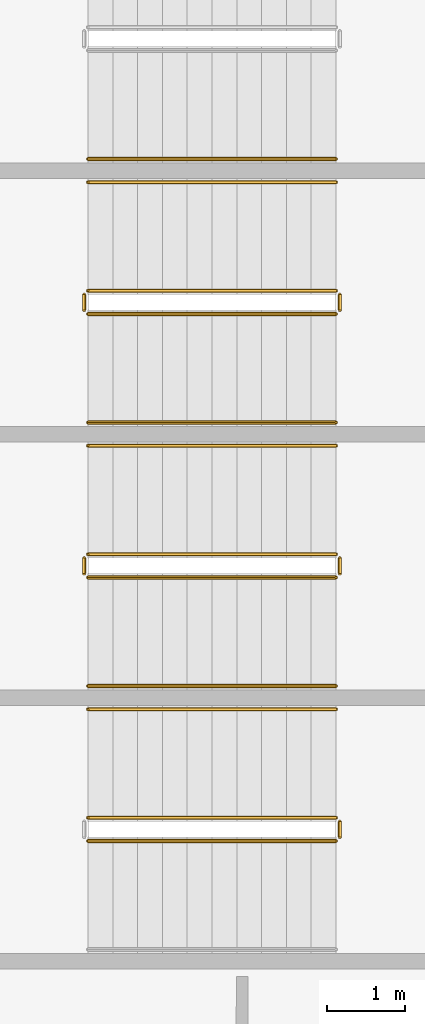
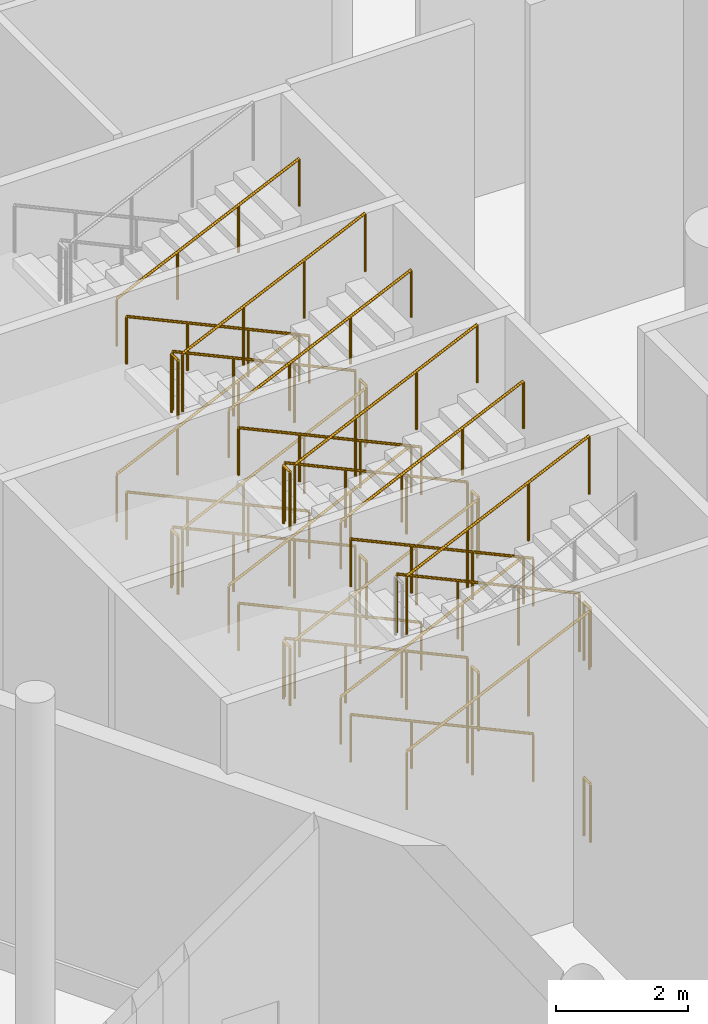
# One storey, part 201 of 255: 33 railings.
"""IFC4 building model written with IfcOpenShell, lengths in metres."""

from ifc_helpers import new_model, si_unit, direction, frame, origin, origin_2d, place, context, subcontext, project, spatial, circle, extrude, material, type_object, element, save


model = new_model("IFC4")

# Units and contexts
model_context = context("Model", 3, precision=1e-05, world=origin(), true_north=direction((0.0, 1.0)))
body_context = subcontext(model_context, "Body", "Model", "MODEL_VIEW")
ifc_project = project(units=[si_unit("LENGTHUNIT", "METRE"), si_unit("AREAUNIT", "SQUARE_METRE"), si_unit("VOLUMEUNIT", "CUBIC_METRE"), si_unit("PLANEANGLEUNIT", "RADIAN"), si_unit("MASSUNIT", "GRAM", prefix="KILO")], contexts=[model_context])

# Site, building, storey
site_placement = place(None, origin())
site = spatial("IfcSite", under=ifc_project, at=site_placement, CompositionType="ELEMENT")
building_placement = place(site_placement, origin())
building = spatial("IfcBuilding", under=site, at=building_placement, Name="Meseta Stadium", CompositionType="ELEMENT")
storey_placement = place(building_placement, origin())
storey = spatial("IfcBuildingStorey", under=building, at=storey_placement, Name="L00", CompositionType="ELEMENT", Elevation=0.0)

# Railings
ifc_material_1 = material(Name="Steel S355", Category="steel")
railing_type_1 = type_object("IfcRailingType", Name="Stair guard 1100", PredefinedType="GUARDRAIL", material=ifc_material_1)
railing_1_placement = place(storey_placement, frame((-90.300048828125, 8.10009765625, 0.147705078125)))
element("IfcRailing", 1, at=railing_1_placement, inside=storey, type_object=railing_type_1, Name="ST66 L00 guard 1", PredefinedType="GUARDRAIL", context=body_context, shape_type="SweptSolid", body=[
    extrude(circle(Radius=0.02392578125, at=origin_2d()), frame((0.0, 0.0, 1.076171875), z_axis=(-0.907916804346, 0.0, 0.419150422148), x_axis=(0.0, -1.0, 0.0)), (0.0, 0.0, 1.0), 3.5244140625),
    extrude(circle(Radius=0.02099609375, at=origin_2d()), origin(), (0.0, 0.0, 1.0), 1.052001953125),
    extrude(circle(Radius=0.02099609375, at=origin_2d()), frame((-1.066650390625, 0.0, 0.492431640625)), (0.0, 0.0, 1.0), 1.052001953125),
    extrude(circle(Radius=0.02099609375, at=origin_2d()), frame((-2.13330078125, 0.0, 0.98486328125)), (0.0, 0.0, 1.0), 1.052001953125),
    extrude(circle(Radius=0.02099609375, at=origin_2d()), frame((-3.199951171875, 0.0, 1.477294921875)), (0.0, 0.0, 1.0), 1.052001953125),
])
railing_2_placement = place(storey_placement, frame((-93.550048828125, 8.050048828125, 1.625)))
element("IfcRailing", 2, at=railing_2_placement, inside=storey, type_object=railing_type_1, Name="ST66 L00 guard 2", PredefinedType="GUARDRAIL", context=body_context, shape_type="SweptSolid", body=[
    extrude(circle(Radius=0.02392578125, at=origin_2d()), frame((0.0, 0.0, 1.076171875), z_axis=(0.0, -1.0, 0.0), x_axis=(1.0, 0.0, 0.0)), (0.0, 0.0, 1.0), 0.199951171875),
    extrude(circle(Radius=0.02099609375, at=origin_2d()), origin(), (0.0, 0.0, 1.0), 1.052001953125),
    extrude(circle(Radius=0.02099609375, at=origin_2d()), frame((0.0, -0.199951171875, 0.0)), (0.0, 0.0, 1.0), 1.052001953125),
])
railing_3_placement = place(storey_placement, frame((-93.5, 7.800048828125, 1.772705078125)))
element("IfcRailing", 3, at=railing_3_placement, inside=storey, type_object=railing_type_1, Name="ST66 L00 guard 3", PredefinedType="GUARDRAIL", context=body_context, shape_type="SweptSolid", body=[
    extrude(circle(Radius=0.02392578125, at=origin_2d()), frame((0.0, 0.0, 1.076171875), z_axis=(0.907916804346, 0.0, 0.419150422148), x_axis=(0.0, 1.0, 0.0)), (0.0, 0.0, 1.0), 3.5244140625),
    extrude(circle(Radius=0.02099609375, at=origin_2d()), origin(), (0.0, 0.0, 1.0), 1.052001953125),
    extrude(circle(Radius=0.02099609375, at=origin_2d()), frame((1.066650390625, 0.0, 0.492431640625)), (0.0, 0.0, 1.0), 1.052001953125),
    extrude(circle(Radius=0.02099609375, at=origin_2d()), frame((2.13330078125, 0.0, 0.98486328125)), (0.0, 0.0, 1.0), 1.052001953125),
    extrude(circle(Radius=0.02099609375, at=origin_2d()), frame((3.199951171875, 0.0, 1.477294921875)), (0.0, 0.0, 1.0), 1.052001953125),
])
railing_4_placement = place(storey_placement, frame((-90.25, 8.050048828125, 3.25)))
element("IfcRailing", 4, at=railing_4_placement, inside=storey, type_object=railing_type_1, Name="ST66 L00 guard 4", PredefinedType="GUARDRAIL", context=body_context, shape_type="SweptSolid", body=[
    extrude(circle(Radius=0.02392578125, at=origin_2d()), frame((0.0, 0.0, 1.076171875), z_axis=(0.0, -1.0, 0.0), x_axis=(1.0, 0.0, 0.0)), (0.0, 0.0, 1.0), 0.199951171875),
    extrude(circle(Radius=0.02099609375, at=origin_2d()), origin(), (0.0, 0.0, 1.0), 1.052001953125),
    extrude(circle(Radius=0.02099609375, at=origin_2d()), frame((0.0, -0.199951171875, 0.0)), (0.0, 0.0, 1.0), 1.052001953125),
])
railing_5_placement = place(storey_placement, frame((-90.300048828125, 8.10009765625, 3.397705078125)))
element("IfcRailing", 5, at=railing_5_placement, inside=storey, type_object=railing_type_1, Name="ST66 L00 guard 5", PredefinedType="GUARDRAIL", context=body_context, shape_type="SweptSolid", body=[
    extrude(circle(Radius=0.02392578125, at=origin_2d()), frame((0.0, 0.0, 1.076171875), z_axis=(-0.907916804346, 0.0, 0.419150422148), x_axis=(0.0, -1.0, 0.0)), (0.0, 0.0, 1.0), 3.5244140625),
    extrude(circle(Radius=0.02099609375, at=origin_2d()), origin(), (0.0, 0.0, 1.0), 1.052001953125),
    extrude(circle(Radius=0.02099609375, at=origin_2d()), frame((-1.066650390625, 0.0, 0.492431640625)), (0.0, 0.0, 1.0), 1.052001953125),
    extrude(circle(Radius=0.02099609375, at=origin_2d()), frame((-2.13330078125, 0.0, 0.98486328125)), (0.0, 0.0, 1.0), 1.052001953125),
    extrude(circle(Radius=0.02099609375, at=origin_2d()), frame((-3.199951171875, 0.0, 1.477294921875)), (0.0, 0.0, 1.0), 1.052001953125),
])
railing_6_placement = place(storey_placement, frame((-93.550048828125, 8.050048828125, 4.875)))
element("IfcRailing", 6, at=railing_6_placement, inside=storey, type_object=railing_type_1, Name="ST66 L00 guard 6", PredefinedType="GUARDRAIL", context=body_context, shape_type="SweptSolid", body=[
    extrude(circle(Radius=0.02392578125, at=origin_2d()), frame((0.0, 0.0, 1.076171875), z_axis=(0.0, -1.0, 0.0), x_axis=(1.0, 0.0, 0.0)), (0.0, 0.0, 1.0), 0.199951171875),
    extrude(circle(Radius=0.02099609375, at=origin_2d()), origin(), (0.0, 0.0, 1.0), 1.052001953125),
    extrude(circle(Radius=0.02099609375, at=origin_2d()), frame((0.0, -0.199951171875, 0.0)), (0.0, 0.0, 1.0), 1.052001953125),
])
railing_7_placement = place(storey_placement, frame((-93.5, 7.800048828125, 5.022705078125)))
element("IfcRailing", 7, at=railing_7_placement, inside=storey, type_object=railing_type_1, Name="ST66 L00 guard 7", PredefinedType="GUARDRAIL", context=body_context, shape_type="SweptSolid", body=[
    extrude(circle(Radius=0.02392578125, at=origin_2d()), frame((0.0, 0.0, 1.076171875), z_axis=(0.907916804346, 0.0, 0.419150422148), x_axis=(0.0, 1.0, 0.0)), (0.0, 0.0, 1.0), 3.5244140625),
    extrude(circle(Radius=0.02099609375, at=origin_2d()), origin(), (0.0, 0.0, 1.0), 1.052001953125),
    extrude(circle(Radius=0.02099609375, at=origin_2d()), frame((1.066650390625, 0.0, 0.492431640625)), (0.0, 0.0, 1.0), 1.052001953125),
    extrude(circle(Radius=0.02099609375, at=origin_2d()), frame((2.13330078125, 0.0, 0.98486328125)), (0.0, 0.0, 1.0), 1.052001953125),
    extrude(circle(Radius=0.02099609375, at=origin_2d()), frame((3.199951171875, 0.0, 1.477294921875)), (0.0, 0.0, 1.0), 1.052001953125),
])
railing_8_placement = place(storey_placement, frame((-90.25, 8.050048828125, 0.0)))
element("IfcRailing", 8, at=railing_8_placement, inside=storey, type_object=railing_type_1, Name="ST66 L00 guard 8", PredefinedType="GUARDRAIL", context=body_context, shape_type="SweptSolid", body=[
    extrude(circle(Radius=0.02392578125, at=origin_2d()), frame((0.0, 0.0, 1.076171875), z_axis=(0.0, -1.0, 0.0), x_axis=(1.0, 0.0, 0.0)), (0.0, 0.0, 1.0), 0.199951171875),
    extrude(circle(Radius=0.02099609375, at=origin_2d()), origin(), (0.0, 0.0, 1.0), 1.052001953125),
    extrude(circle(Radius=0.02099609375, at=origin_2d()), frame((0.0, -0.199951171875, 0.0)), (0.0, 0.0, 1.0), 1.052001953125),
])
railing_9_placement = place(storey_placement, frame((-90.300048828125, 4.699951171875, 0.147705078125)))
element("IfcRailing", 9, at=railing_9_placement, inside=storey, type_object=railing_type_1, Name="ST67 L00 guard 1", PredefinedType="GUARDRAIL", context=body_context, shape_type="SweptSolid", body=[
    extrude(circle(Radius=0.02392578125, at=origin_2d()), frame((0.0, 0.0, 1.076171875), z_axis=(-0.907916804346, 0.0, 0.419150422148), x_axis=(0.0, -1.0, 0.0)), (0.0, 0.0, 1.0), 3.5244140625),
    extrude(circle(Radius=0.02099609375, at=origin_2d()), origin(), (0.0, 0.0, 1.0), 1.052001953125),
    extrude(circle(Radius=0.02099609375, at=origin_2d()), frame((-1.066650390625, 0.0, 0.492431640625)), (0.0, 0.0, 1.0), 1.052001953125),
    extrude(circle(Radius=0.02099609375, at=origin_2d()), frame((-2.13330078125, 0.0, 0.98486328125)), (0.0, 0.0, 1.0), 1.052001953125),
    extrude(circle(Radius=0.02099609375, at=origin_2d()), frame((-3.199951171875, 0.0, 1.477294921875)), (0.0, 0.0, 1.0), 1.052001953125),
])
railing_10_placement = place(storey_placement, frame((-93.550048828125, 4.64990234375, 1.625)))
element("IfcRailing", 10, at=railing_10_placement, inside=storey, type_object=railing_type_1, Name="ST67 L00 guard 2", PredefinedType="GUARDRAIL", context=body_context, shape_type="SweptSolid", body=[
    extrude(circle(Radius=0.02392578125, at=origin_2d()), frame((0.0, 0.0, 1.076171875), z_axis=(0.0, -1.0, 0.0), x_axis=(1.0, 0.0, 0.0)), (0.0, 0.0, 1.0), 0.199951171875),
    extrude(circle(Radius=0.02099609375, at=origin_2d()), origin(), (0.0, 0.0, 1.0), 1.052001953125),
    extrude(circle(Radius=0.02099609375, at=origin_2d()), frame((0.0, -0.199951171875, 0.0)), (0.0, 0.0, 1.0), 1.052001953125),
])
railing_11_placement = place(storey_placement, frame((-93.5, 4.39990234375, 1.772705078125)))
element("IfcRailing", 11, at=railing_11_placement, inside=storey, type_object=railing_type_1, Name="ST67 L00 guard 3", PredefinedType="GUARDRAIL", context=body_context, shape_type="SweptSolid", body=[
    extrude(circle(Radius=0.02392578125, at=origin_2d()), frame((0.0, 0.0, 1.076171875), z_axis=(0.907916804346, 0.0, 0.419150422148), x_axis=(0.0, 1.0, 0.0)), (0.0, 0.0, 1.0), 3.5244140625),
    extrude(circle(Radius=0.02099609375, at=origin_2d()), origin(), (0.0, 0.0, 1.0), 1.052001953125),
    extrude(circle(Radius=0.02099609375, at=origin_2d()), frame((1.066650390625, 0.0, 0.492431640625)), (0.0, 0.0, 1.0), 1.052001953125),
    extrude(circle(Radius=0.02099609375, at=origin_2d()), frame((2.13330078125, 0.0, 0.98486328125)), (0.0, 0.0, 1.0), 1.052001953125),
    extrude(circle(Radius=0.02099609375, at=origin_2d()), frame((3.199951171875, 0.0, 1.477294921875)), (0.0, 0.0, 1.0), 1.052001953125),
])
railing_12_placement = place(storey_placement, frame((-90.25, 4.64990234375, 3.25)))
element("IfcRailing", 12, at=railing_12_placement, inside=storey, type_object=railing_type_1, Name="ST67 L00 guard 4", PredefinedType="GUARDRAIL", context=body_context, shape_type="SweptSolid", body=[
    extrude(circle(Radius=0.02392578125, at=origin_2d()), frame((0.0, 0.0, 1.076171875), z_axis=(0.0, -1.0, 0.0), x_axis=(1.0, 0.0, 0.0)), (0.0, 0.0, 1.0), 0.199951171875),
    extrude(circle(Radius=0.02099609375, at=origin_2d()), origin(), (0.0, 0.0, 1.0), 1.052001953125),
    extrude(circle(Radius=0.02099609375, at=origin_2d()), frame((0.0, -0.199951171875, 0.0)), (0.0, 0.0, 1.0), 1.052001953125),
])
railing_13_placement = place(storey_placement, frame((-90.300048828125, 4.699951171875, 3.397705078125)))
element("IfcRailing", 13, at=railing_13_placement, inside=storey, type_object=railing_type_1, Name="ST67 L00 guard 5", PredefinedType="GUARDRAIL", context=body_context, shape_type="SweptSolid", body=[
    extrude(circle(Radius=0.02392578125, at=origin_2d()), frame((0.0, 0.0, 1.076171875), z_axis=(-0.907916804346, 0.0, 0.419150422148), x_axis=(0.0, -1.0, 0.0)), (0.0, 0.0, 1.0), 3.5244140625),
    extrude(circle(Radius=0.02099609375, at=origin_2d()), origin(), (0.0, 0.0, 1.0), 1.052001953125),
    extrude(circle(Radius=0.02099609375, at=origin_2d()), frame((-1.066650390625, 0.0, 0.492431640625)), (0.0, 0.0, 1.0), 1.052001953125),
    extrude(circle(Radius=0.02099609375, at=origin_2d()), frame((-2.13330078125, 0.0, 0.98486328125)), (0.0, 0.0, 1.0), 1.052001953125),
    extrude(circle(Radius=0.02099609375, at=origin_2d()), frame((-3.199951171875, 0.0, 1.477294921875)), (0.0, 0.0, 1.0), 1.052001953125),
])
railing_14_placement = place(storey_placement, frame((-93.550048828125, 4.64990234375, 4.875)))
element("IfcRailing", 14, at=railing_14_placement, inside=storey, type_object=railing_type_1, Name="ST67 L00 guard 6", PredefinedType="GUARDRAIL", context=body_context, shape_type="SweptSolid", body=[
    extrude(circle(Radius=0.02392578125, at=origin_2d()), frame((0.0, 0.0, 1.076171875), z_axis=(0.0, -1.0, 0.0), x_axis=(1.0, 0.0, 0.0)), (0.0, 0.0, 1.0), 0.199951171875),
    extrude(circle(Radius=0.02099609375, at=origin_2d()), origin(), (0.0, 0.0, 1.0), 1.052001953125),
    extrude(circle(Radius=0.02099609375, at=origin_2d()), frame((0.0, -0.199951171875, 0.0)), (0.0, 0.0, 1.0), 1.052001953125),
])
railing_15_placement = place(storey_placement, frame((-93.5, 4.39990234375, 5.022705078125)))
element("IfcRailing", 15, at=railing_15_placement, inside=storey, type_object=railing_type_1, Name="ST67 L00 guard 7", PredefinedType="GUARDRAIL", context=body_context, shape_type="SweptSolid", body=[
    extrude(circle(Radius=0.02392578125, at=origin_2d()), frame((0.0, 0.0, 1.076171875), z_axis=(0.907916804346, 0.0, 0.419150422148), x_axis=(0.0, 1.0, 0.0)), (0.0, 0.0, 1.0), 3.5244140625),
    extrude(circle(Radius=0.02099609375, at=origin_2d()), origin(), (0.0, 0.0, 1.0), 1.052001953125),
    extrude(circle(Radius=0.02099609375, at=origin_2d()), frame((1.066650390625, 0.0, 0.492431640625)), (0.0, 0.0, 1.0), 1.052001953125),
    extrude(circle(Radius=0.02099609375, at=origin_2d()), frame((2.13330078125, 0.0, 0.98486328125)), (0.0, 0.0, 1.0), 1.052001953125),
    extrude(circle(Radius=0.02099609375, at=origin_2d()), frame((3.199951171875, 0.0, 1.477294921875)), (0.0, 0.0, 1.0), 1.052001953125),
])
railing_16_placement = place(storey_placement, frame((-90.25, 4.64990234375, 0.0)))
element("IfcRailing", 16, at=railing_16_placement, inside=storey, type_object=railing_type_1, Name="ST67 L00 guard 8", PredefinedType="GUARDRAIL", context=body_context, shape_type="SweptSolid", body=[
    extrude(circle(Radius=0.02392578125, at=origin_2d()), frame((0.0, 0.0, 1.076171875), z_axis=(0.0, -1.0, 0.0), x_axis=(1.0, 0.0, 0.0)), (0.0, 0.0, 1.0), 0.199951171875),
    extrude(circle(Radius=0.02099609375, at=origin_2d()), origin(), (0.0, 0.0, 1.0), 1.052001953125),
    extrude(circle(Radius=0.02099609375, at=origin_2d()), frame((0.0, -0.199951171875, 0.0)), (0.0, 0.0, 1.0), 1.052001953125),
])
railing_17_placement = place(storey_placement, frame((-93.5, 1.0, 1.772705078125)))
element("IfcRailing", 17, at=railing_17_placement, inside=storey, type_object=railing_type_1, Name="ST68 L00 guard 3", PredefinedType="GUARDRAIL", context=body_context, shape_type="SweptSolid", body=[
    extrude(circle(Radius=0.02392578125, at=origin_2d()), frame((0.0, 0.0, 1.076171875), z_axis=(0.907916804346, 0.0, 0.419150422148), x_axis=(0.0, 1.0, 0.0)), (0.0, 0.0, 1.0), 3.5244140625),
    extrude(circle(Radius=0.02099609375, at=origin_2d()), origin(), (0.0, 0.0, 1.0), 1.052001953125),
    extrude(circle(Radius=0.02099609375, at=origin_2d()), frame((1.066650390625, 0.0, 0.492431640625)), (0.0, 0.0, 1.0), 1.052001953125),
    extrude(circle(Radius=0.02099609375, at=origin_2d()), frame((2.13330078125, 0.0, 0.98486328125)), (0.0, 0.0, 1.0), 1.052001953125),
    extrude(circle(Radius=0.02099609375, at=origin_2d()), frame((3.199951171875, 0.0, 1.477294921875)), (0.0, 0.0, 1.0), 1.052001953125),
])
railing_18_placement = place(storey_placement, frame((-90.25, 1.25, 3.25)))
element("IfcRailing", 18, at=railing_18_placement, inside=storey, type_object=railing_type_1, Name="ST68 L00 guard 4", PredefinedType="GUARDRAIL", context=body_context, shape_type="SweptSolid", body=[
    extrude(circle(Radius=0.02392578125, at=origin_2d()), frame((0.0, 0.0, 1.076171875), z_axis=(0.0, -1.0, 0.0), x_axis=(1.0, 0.0, 0.0)), (0.0, 0.0, 1.0), 0.199951171875),
    extrude(circle(Radius=0.02099609375, at=origin_2d()), origin(), (0.0, 0.0, 1.0), 1.052001953125),
    extrude(circle(Radius=0.02099609375, at=origin_2d()), frame((0.0, -0.199951171875, 0.0)), (0.0, 0.0, 1.0), 1.052001953125),
])
railing_19_placement = place(storey_placement, frame((-90.300048828125, 1.300048828125, 3.397705078125)))
element("IfcRailing", 19, at=railing_19_placement, inside=storey, type_object=railing_type_1, Name="ST68 L00 guard 5", PredefinedType="GUARDRAIL", context=body_context, shape_type="SweptSolid", body=[
    extrude(circle(Radius=0.02392578125, at=origin_2d()), frame((0.0, 0.0, 1.076171875), z_axis=(-0.907916804346, 0.0, 0.419150422148), x_axis=(0.0, -1.0, 0.0)), (0.0, 0.0, 1.0), 3.5244140625),
    extrude(circle(Radius=0.02099609375, at=origin_2d()), origin(), (0.0, 0.0, 1.0), 1.052001953125),
    extrude(circle(Radius=0.02099609375, at=origin_2d()), frame((-1.066650390625, 0.0, 0.492431640625)), (0.0, 0.0, 1.0), 1.052001953125),
    extrude(circle(Radius=0.02099609375, at=origin_2d()), frame((-2.13330078125, 0.0, 0.98486328125)), (0.0, 0.0, 1.0), 1.052001953125),
    extrude(circle(Radius=0.02099609375, at=origin_2d()), frame((-3.199951171875, 0.0, 1.477294921875)), (0.0, 0.0, 1.0), 1.052001953125),
])
railing_20_placement = place(storey_placement, frame((-93.5, 1.0, 5.022705078125)))
element("IfcRailing", 20, at=railing_20_placement, inside=storey, type_object=railing_type_1, Name="ST68 L00 guard 7", PredefinedType="GUARDRAIL", context=body_context, shape_type="SweptSolid", body=[
    extrude(circle(Radius=0.02392578125, at=origin_2d()), frame((0.0, 0.0, 1.076171875), z_axis=(0.907916804346, 0.0, 0.419150422148), x_axis=(0.0, 1.0, 0.0)), (0.0, 0.0, 1.0), 3.5244140625),
    extrude(circle(Radius=0.02099609375, at=origin_2d()), origin(), (0.0, 0.0, 1.0), 1.052001953125),
    extrude(circle(Radius=0.02099609375, at=origin_2d()), frame((1.066650390625, 0.0, 0.492431640625)), (0.0, 0.0, 1.0), 1.052001953125),
    extrude(circle(Radius=0.02099609375, at=origin_2d()), frame((2.13330078125, 0.0, 0.98486328125)), (0.0, 0.0, 1.0), 1.052001953125),
    extrude(circle(Radius=0.02099609375, at=origin_2d()), frame((3.199951171875, 0.0, 1.477294921875)), (0.0, 0.0, 1.0), 1.052001953125),
])
railing_21_placement = place(storey_placement, frame((-90.25, 1.25, 0.0)))
element("IfcRailing", 21, at=railing_21_placement, inside=storey, type_object=railing_type_1, Name="ST68 L00 guard 8", PredefinedType="GUARDRAIL", context=body_context, shape_type="SweptSolid", body=[
    extrude(circle(Radius=0.02392578125, at=origin_2d()), frame((0.0, 0.0, 1.076171875), z_axis=(0.0, -1.0, 0.0), x_axis=(1.0, 0.0, 0.0)), (0.0, 0.0, 1.0), 0.199951171875),
    extrude(circle(Radius=0.02099609375, at=origin_2d()), origin(), (0.0, 0.0, 1.0), 1.052001953125),
    extrude(circle(Radius=0.02099609375, at=origin_2d()), frame((0.0, -0.199951171875, 0.0)), (0.0, 0.0, 1.0), 1.052001953125),
])
ifc_material_2 = material(Name="Steel S355", Category="steel")
railing_type_2 = type_object("IfcRailingType", Name="Stair handrail 900", PredefinedType="HANDRAIL", material=ifc_material_2)
for number, where, name in (
    (22, (-93.5, 9.800048828125, 1.772705078125), "ST65 L00 handrail 2"),
    (23, (-93.5, 9.800048828125, 5.022705078125), "ST65 L00 handrail 4"),
):
    element("IfcRailing", number, at=place(storey_placement, frame(where)), inside=storey, type_object=railing_type_2, Name=name, PredefinedType="HANDRAIL", context=body_context, shape_type="SweptSolid", body=[
        extrude(circle(Radius=0.02392578125, at=origin_2d()), frame((0.0, 0.0, 0.8759765625), z_axis=(0.907916804346, 0.0, 0.419150422148), x_axis=(0.0, 1.0, 0.0)), (0.0, 0.0, 1.0), 3.5244140625),
        extrude(circle(Radius=0.02099609375, at=origin_2d()), origin(), (0.0, 0.0, 1.0), 0.851806640625),
        extrude(circle(Radius=0.02099609375, at=origin_2d()), frame((1.066650390625, 0.0, 0.492431640625)), (0.0, 0.0, 1.0), 0.851806640625),
        extrude(circle(Radius=0.02099609375, at=origin_2d()), frame((2.13330078125, 0.0, 0.98486328125)), (0.0, 0.0, 1.0), 0.851806640625),
        extrude(circle(Radius=0.02099609375, at=origin_2d()), frame((3.199951171875, 0.0, 1.477294921875)), (0.0, 0.0, 1.0), 0.851806640625),
    ])
railing_22_placement = place(storey_placement, frame((-90.300048828125, 9.5, 0.147705078125)))
element("IfcRailing", 24, at=railing_22_placement, inside=storey, type_object=railing_type_2, Name="ST66 L00 handrail 1", PredefinedType="HANDRAIL", context=body_context, shape_type="SweptSolid", body=[
    extrude(circle(Radius=0.02392578125, at=origin_2d()), frame((0.0, 0.0, 0.8759765625), z_axis=(-0.907916804346, 0.0, 0.419150422148), x_axis=(0.0, -1.0, 0.0)), (0.0, 0.0, 1.0), 3.5244140625),
    extrude(circle(Radius=0.02099609375, at=origin_2d()), origin(), (0.0, 0.0, 1.0), 0.851806640625),
    extrude(circle(Radius=0.02099609375, at=origin_2d()), frame((-1.066650390625, 0.0, 0.492431640625)), (0.0, 0.0, 1.0), 0.851806640625),
    extrude(circle(Radius=0.02099609375, at=origin_2d()), frame((-2.13330078125, 0.0, 0.98486328125)), (0.0, 0.0, 1.0), 0.851806640625),
    extrude(circle(Radius=0.02099609375, at=origin_2d()), frame((-3.199951171875, 0.0, 1.477294921875)), (0.0, 0.0, 1.0), 0.851806640625),
])
railing_23_placement = place(storey_placement, frame((-93.5, 6.39990234375, 1.772705078125)))
element("IfcRailing", 25, at=railing_23_placement, inside=storey, type_object=railing_type_2, Name="ST66 L00 handrail 2", PredefinedType="HANDRAIL", context=body_context, shape_type="SweptSolid", body=[
    extrude(circle(Radius=0.02392578125, at=origin_2d()), frame((0.0, 0.0, 0.8759765625), z_axis=(0.907916804346, 0.0, 0.419150422148), x_axis=(0.0, 1.0, 0.0)), (0.0, 0.0, 1.0), 3.5244140625),
    extrude(circle(Radius=0.02099609375, at=origin_2d()), origin(), (0.0, 0.0, 1.0), 0.851806640625),
    extrude(circle(Radius=0.02099609375, at=origin_2d()), frame((1.066650390625, 0.0, 0.492431640625)), (0.0, 0.0, 1.0), 0.851806640625),
    extrude(circle(Radius=0.02099609375, at=origin_2d()), frame((2.13330078125, 0.0, 0.98486328125)), (0.0, 0.0, 1.0), 0.851806640625),
    extrude(circle(Radius=0.02099609375, at=origin_2d()), frame((3.199951171875, 0.0, 1.477294921875)), (0.0, 0.0, 1.0), 0.851806640625),
])
railing_24_placement = place(storey_placement, frame((-90.300048828125, 9.5, 3.397705078125)))
element("IfcRailing", 26, at=railing_24_placement, inside=storey, type_object=railing_type_2, Name="ST66 L00 handrail 3", PredefinedType="HANDRAIL", context=body_context, shape_type="SweptSolid", body=[
    extrude(circle(Radius=0.02392578125, at=origin_2d()), frame((0.0, 0.0, 0.8759765625), z_axis=(-0.907916804346, 0.0, 0.419150422148), x_axis=(0.0, -1.0, 0.0)), (0.0, 0.0, 1.0), 3.5244140625),
    extrude(circle(Radius=0.02099609375, at=origin_2d()), origin(), (0.0, 0.0, 1.0), 0.851806640625),
    extrude(circle(Radius=0.02099609375, at=origin_2d()), frame((-1.066650390625, 0.0, 0.492431640625)), (0.0, 0.0, 1.0), 0.851806640625),
    extrude(circle(Radius=0.02099609375, at=origin_2d()), frame((-2.13330078125, 0.0, 0.98486328125)), (0.0, 0.0, 1.0), 0.851806640625),
    extrude(circle(Radius=0.02099609375, at=origin_2d()), frame((-3.199951171875, 0.0, 1.477294921875)), (0.0, 0.0, 1.0), 0.851806640625),
])
railing_25_placement = place(storey_placement, frame((-93.5, 6.39990234375, 5.022705078125)))
element("IfcRailing", 27, at=railing_25_placement, inside=storey, type_object=railing_type_2, Name="ST66 L00 handrail 4", PredefinedType="HANDRAIL", context=body_context, shape_type="SweptSolid", body=[
    extrude(circle(Radius=0.02392578125, at=origin_2d()), frame((0.0, 0.0, 0.8759765625), z_axis=(0.907916804346, 0.0, 0.419150422148), x_axis=(0.0, 1.0, 0.0)), (0.0, 0.0, 1.0), 3.5244140625),
    extrude(circle(Radius=0.02099609375, at=origin_2d()), origin(), (0.0, 0.0, 1.0), 0.851806640625),
    extrude(circle(Radius=0.02099609375, at=origin_2d()), frame((1.066650390625, 0.0, 0.492431640625)), (0.0, 0.0, 1.0), 0.851806640625),
    extrude(circle(Radius=0.02099609375, at=origin_2d()), frame((2.13330078125, 0.0, 0.98486328125)), (0.0, 0.0, 1.0), 0.851806640625),
    extrude(circle(Radius=0.02099609375, at=origin_2d()), frame((3.199951171875, 0.0, 1.477294921875)), (0.0, 0.0, 1.0), 0.851806640625),
])
railing_26_placement = place(storey_placement, frame((-90.300048828125, 6.10009765625, 0.147705078125)))
element("IfcRailing", 28, at=railing_26_placement, inside=storey, type_object=railing_type_2, Name="ST67 L00 handrail 1", PredefinedType="HANDRAIL", context=body_context, shape_type="SweptSolid", body=[
    extrude(circle(Radius=0.02392578125, at=origin_2d()), frame((0.0, 0.0, 0.8759765625), z_axis=(-0.907916804346, 0.0, 0.419150422148), x_axis=(0.0, -1.0, 0.0)), (0.0, 0.0, 1.0), 3.5244140625),
    extrude(circle(Radius=0.02099609375, at=origin_2d()), origin(), (0.0, 0.0, 1.0), 0.851806640625),
    extrude(circle(Radius=0.02099609375, at=origin_2d()), frame((-1.066650390625, 0.0, 0.492431640625)), (0.0, 0.0, 1.0), 0.851806640625),
    extrude(circle(Radius=0.02099609375, at=origin_2d()), frame((-2.13330078125, 0.0, 0.98486328125)), (0.0, 0.0, 1.0), 0.851806640625),
    extrude(circle(Radius=0.02099609375, at=origin_2d()), frame((-3.199951171875, 0.0, 1.477294921875)), (0.0, 0.0, 1.0), 0.851806640625),
])
railing_27_placement = place(storey_placement, frame((-93.5, 3.0, 1.772705078125)))
element("IfcRailing", 29, at=railing_27_placement, inside=storey, type_object=railing_type_2, Name="ST67 L00 handrail 2", PredefinedType="HANDRAIL", context=body_context, shape_type="SweptSolid", body=[
    extrude(circle(Radius=0.02392578125, at=origin_2d()), frame((0.0, 0.0, 0.8759765625), z_axis=(0.907916804346, 0.0, 0.419150422148), x_axis=(0.0, 1.0, 0.0)), (0.0, 0.0, 1.0), 3.5244140625),
    extrude(circle(Radius=0.02099609375, at=origin_2d()), origin(), (0.0, 0.0, 1.0), 0.851806640625),
    extrude(circle(Radius=0.02099609375, at=origin_2d()), frame((1.066650390625, 0.0, 0.492431640625)), (0.0, 0.0, 1.0), 0.851806640625),
    extrude(circle(Radius=0.02099609375, at=origin_2d()), frame((2.13330078125, 0.0, 0.98486328125)), (0.0, 0.0, 1.0), 0.851806640625),
    extrude(circle(Radius=0.02099609375, at=origin_2d()), frame((3.199951171875, 0.0, 1.477294921875)), (0.0, 0.0, 1.0), 0.851806640625),
])
railing_28_placement = place(storey_placement, frame((-90.300048828125, 6.10009765625, 3.397705078125)))
element("IfcRailing", 30, at=railing_28_placement, inside=storey, type_object=railing_type_2, Name="ST67 L00 handrail 3", PredefinedType="HANDRAIL", context=body_context, shape_type="SweptSolid", body=[
    extrude(circle(Radius=0.02392578125, at=origin_2d()), frame((0.0, 0.0, 0.8759765625), z_axis=(-0.907916804346, 0.0, 0.419150422148), x_axis=(0.0, -1.0, 0.0)), (0.0, 0.0, 1.0), 3.5244140625),
    extrude(circle(Radius=0.02099609375, at=origin_2d()), origin(), (0.0, 0.0, 1.0), 0.851806640625),
    extrude(circle(Radius=0.02099609375, at=origin_2d()), frame((-1.066650390625, 0.0, 0.492431640625)), (0.0, 0.0, 1.0), 0.851806640625),
    extrude(circle(Radius=0.02099609375, at=origin_2d()), frame((-2.13330078125, 0.0, 0.98486328125)), (0.0, 0.0, 1.0), 0.851806640625),
    extrude(circle(Radius=0.02099609375, at=origin_2d()), frame((-3.199951171875, 0.0, 1.477294921875)), (0.0, 0.0, 1.0), 0.851806640625),
])
railing_29_placement = place(storey_placement, frame((-93.5, 3.0, 5.022705078125)))
element("IfcRailing", 31, at=railing_29_placement, inside=storey, type_object=railing_type_2, Name="ST67 L00 handrail 4", PredefinedType="HANDRAIL", context=body_context, shape_type="SweptSolid", body=[
    extrude(circle(Radius=0.02392578125, at=origin_2d()), frame((0.0, 0.0, 0.8759765625), z_axis=(0.907916804346, 0.0, 0.419150422148), x_axis=(0.0, 1.0, 0.0)), (0.0, 0.0, 1.0), 3.5244140625),
    extrude(circle(Radius=0.02099609375, at=origin_2d()), origin(), (0.0, 0.0, 1.0), 0.851806640625),
    extrude(circle(Radius=0.02099609375, at=origin_2d()), frame((1.066650390625, 0.0, 0.492431640625)), (0.0, 0.0, 1.0), 0.851806640625),
    extrude(circle(Radius=0.02099609375, at=origin_2d()), frame((2.13330078125, 0.0, 0.98486328125)), (0.0, 0.0, 1.0), 0.851806640625),
    extrude(circle(Radius=0.02099609375, at=origin_2d()), frame((3.199951171875, 0.0, 1.477294921875)), (0.0, 0.0, 1.0), 0.851806640625),
])
for number, where, name in (
    (32, (-90.300048828125, 2.699951171875, 0.147705078125), "ST68 L00 handrail 1"),
    (33, (-90.300048828125, 2.699951171875, 3.397705078125), "ST68 L00 handrail 3"),
):
    element("IfcRailing", number, at=place(storey_placement, frame(where)), inside=storey, type_object=railing_type_2, Name=name, PredefinedType="HANDRAIL", context=body_context, shape_type="SweptSolid", body=[
        extrude(circle(Radius=0.02392578125, at=origin_2d()), frame((0.0, 0.0, 0.8759765625), z_axis=(-0.907916804346, 0.0, 0.419150422148), x_axis=(0.0, -1.0, 0.0)), (0.0, 0.0, 1.0), 3.5244140625),
        extrude(circle(Radius=0.02099609375, at=origin_2d()), origin(), (0.0, 0.0, 1.0), 0.851806640625),
        extrude(circle(Radius=0.02099609375, at=origin_2d()), frame((-1.066650390625, 0.0, 0.492431640625)), (0.0, 0.0, 1.0), 0.851806640625),
        extrude(circle(Radius=0.02099609375, at=origin_2d()), frame((-2.13330078125, 0.0, 0.98486328125)), (0.0, 0.0, 1.0), 0.851806640625),
        extrude(circle(Radius=0.02099609375, at=origin_2d()), frame((-3.199951171875, 0.0, 1.477294921875)), (0.0, 0.0, 1.0), 0.851806640625),
    ])

save(model, "model.ifc")
